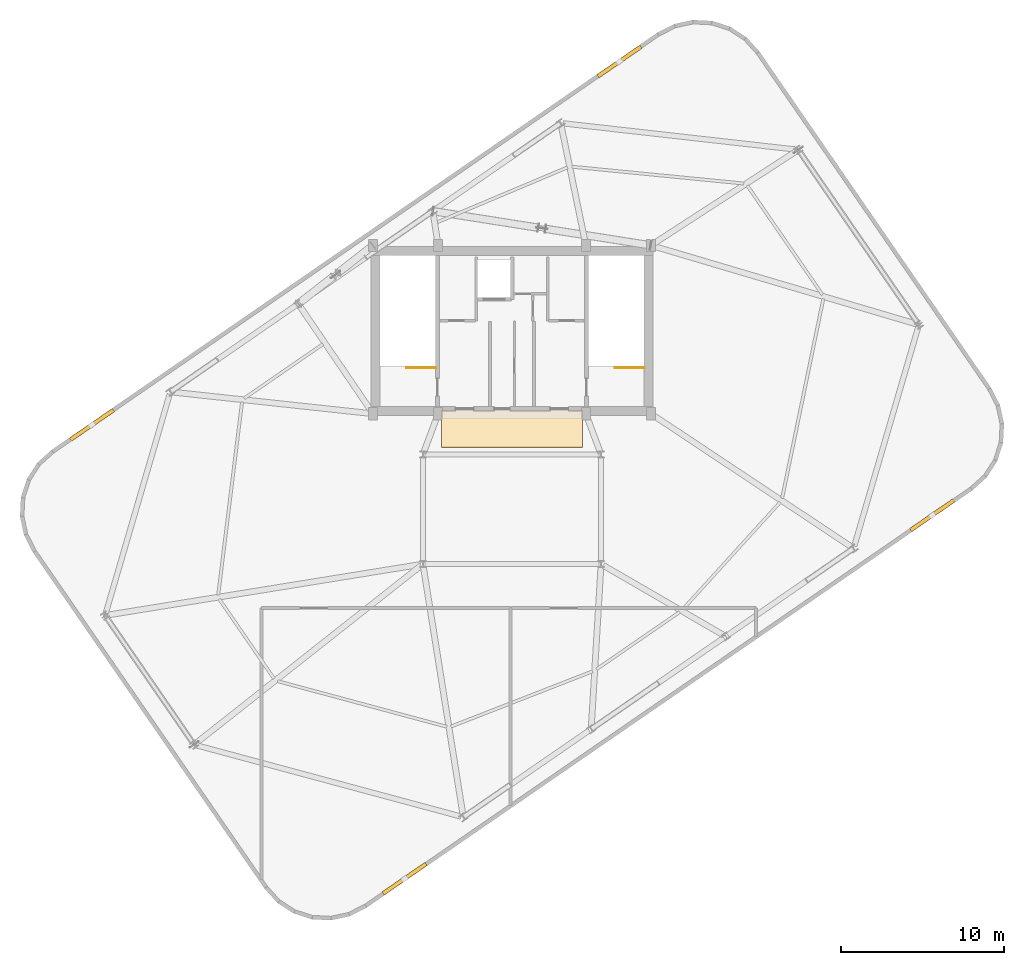
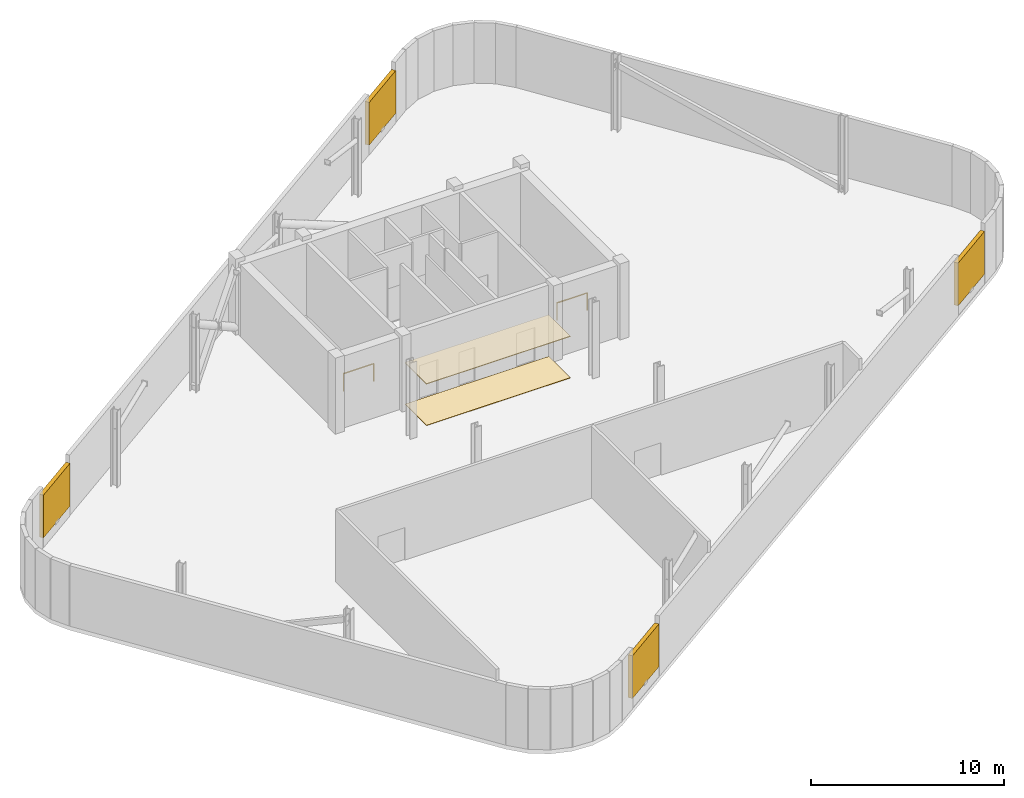
# One storey, part 10 of 10: 4 shading devices, 2 coverings, 2 railings.
"""IFC4 building model written with IfcOpenShell, lengths in metres."""

from ifc_helpers import new_model, si_unit, direction, frame, origin, origin_2d, place, context, subcontext, project, spatial, rectangle, circle, extrude, source, transform, mapped, material, layer, layer_set, type_object, element, save


model = new_model("IFC4")

# Units and contexts
model_context = context("Model", 3, precision=1e-05, world=origin(), true_north=direction((0.0, 1.0)))
body_context = subcontext(model_context, "Body", "Model", "MODEL_VIEW")
ifc_project = project(units=[si_unit("LENGTHUNIT", "METRE"), si_unit("AREAUNIT", "SQUARE_METRE"), si_unit("VOLUMEUNIT", "CUBIC_METRE"), si_unit("PLANEANGLEUNIT", "RADIAN"), si_unit("MASSUNIT", "GRAM", prefix="KILO")], contexts=[model_context])

# Site, building, storey
site_placement = place(None, origin())
site = spatial("IfcSite", under=ifc_project, at=site_placement, CompositionType="ELEMENT")
building_placement = place(site_placement, origin())
building = spatial("IfcBuilding", under=site, at=building_placement, Name="Varnelok Gate Tower", CompositionType="ELEMENT")
storey_placement = place(building_placement, frame((0.0, 0.0, 305.89990234375)))
storey = spatial("IfcBuildingStorey", under=building, at=storey_placement, Name="L78", CompositionType="ELEMENT", Elevation=305.89990234375)

# Railings
ifc_material_1 = material(Name="Galvanized Steel Grade S350GD", Category="steel")
railing_type = type_object("IfcRailingType", Name="RL-STAIR-GUARD1120", PredefinedType="GUARDRAIL", material=ifc_material_1)
for number, where, name in (
    (1, (34.550048828125, 31.550048828125, 0.0), "L78 ST-1 top well guard 1"),
    (2, (47.300048828125, 31.550048828125, 0.0), "L78 ST-2 top well guard 1"),
):
    element("IfcRailing", number, at=place(storey_placement, frame(where)), inside=storey, type_object=railing_type, Name=name, PredefinedType="GUARDRAIL", context=body_context, shape_type="SweptSolid", body=[
        extrude(circle(Radius=0.02392578125, at=origin_2d()), frame((0.0, 0.0, 1.09619140625), z_axis=(-1.0, 0.0, 0.0), x_axis=(0.0, -1.0, 0.0)), (0.0, 0.0, 1.0), 1.800048828125),
        extrude(circle(Radius=0.02099609375, at=origin_2d()), origin(), (0.0, 0.0, 1.0), 1.072021484375),
        extrude(circle(Radius=0.02099609375, at=origin_2d()), frame((-1.800048828125, 0.0, 0.0)), (0.0, 0.0, 1.0), 1.072021484375),
    ])

# Shading devices
ifc_material_2 = material(Name="Anodized Aluminum Alloy 6063-T6", Category="aluminium")
shading_device_type = type_object("IfcShadingDeviceType", Name="SHD-PLANT-LOUVRE", PredefinedType="JALOUSIE", material=ifc_material_2)
shared_shape_1 = source(origin(), body_context, "Body", "SweptSolid", [
    extrude(rectangle(XDim=3.199951171875, YDim=0.239990234375, at=origin_2d()), origin(), (0.0, 0.0, 1.0), 2.699951171875),
])
for number, where, z_axis, x_axis, name in (
    (3, (32.622802734375, 0.296875, 0.6201171875), (0.0, 0.0, 1.0), (0.823532597628, 0.567268949127, 0.0), "L78 Acoustic Plant Louvre Screen S1"),
    (4, (64.905517578125, 22.53369140625, 0.6201171875), (0.0, 0.0, 1.0), (0.823532597628, 0.567268949127, 0.0), "L78 Acoustic Plant Louvre Screen S2"),
    (5, (13.49462890625, 28.06640625, 0.6201171875), (0.0, 0.0, 1.0), (0.823532597628, 0.567268949127, 0.0), "L78 Acoustic Plant Louvre Screen N1"),
    (6, (45.777099609375, 50.30322265625, 0.6201171875), (0.0, 0.0, 1.0), (0.823532597628, 0.567268949127, 0.0), "L78 Acoustic Plant Louvre Screen N2"),
):
    element("IfcShadingDevice", number, at=place(storey_placement, frame(where, z_axis=z_axis, x_axis=x_axis)), inside=storey, type_object=shading_device_type, Name=name, PredefinedType="JALOUSIE", context=body_context, shape_type="MappedRepresentation", body=[
        mapped(shared_shape_1, transform((0.0, 0.0, 0.0), scale=1.0)),
    ])

# Coverings
ifc_material_3 = material(Name="Honed Travertine Stone Flooring", Category="masonry")
ifc_layer_1 = layer(ifc_material_3, 0.02490234375)
ifc_layer_set_1 = layer_set([ifc_layer_1], Name="Honed Travertine Stone Flooring")
covering_type_1 = type_object("IfcCoveringType", Name="COV-FLOR-STONE", PredefinedType="FLOORING", material=ifc_layer_set_1)
shared_shape_2 = source(origin(), body_context, "Body", "SweptSolid", [
    extrude(rectangle(XDim=8.60009765625, YDim=2.219970703125, at=origin_2d()), origin(), (0.0, 0.0, 1.0), 0.02490234375),
])
covering_1_placement = place(storey_placement, frame((39.199951171875, 27.800048828125, 0.000244140625), z_axis=(0.0, 0.0, 1.0), x_axis=(1.0, 0.0, 0.0)))
element("IfcCovering", 7, at=covering_1_placement, inside=storey, type_object=covering_type_1, Name="L78 Core Gallery Stone Flooring", PredefinedType="FLOORING", context=body_context, shape_type="MappedRepresentation", body=[
    mapped(shared_shape_2, transform((0.0, 0.0, 0.0), scale=1.0)),
])
ifc_material_4 = material(Name="Mineral Fiber Acoustic Ceiling Tile")
ifc_layer_2 = layer(ifc_material_4, 0.0400390625)
ifc_layer_set_2 = layer_set([ifc_layer_2], Name="Mineral Fiber Acoustic Ceiling Tile")
covering_type_2 = type_object("IfcCoveringType", Name="COV-CEIL-ACOUST", PredefinedType="CEILING", material=ifc_layer_set_2)
shared_shape_3 = source(origin(), body_context, "Body", "SweptSolid", [
    extrude(rectangle(XDim=8.60009765625, YDim=2.239990234375, at=origin_2d()), origin(), (0.0, 0.0, 1.0), 0.0400390625),
])
covering_2_placement = place(storey_placement, frame((39.199951171875, 27.820068359375, 2.60009765625), z_axis=(0.0, 0.0, 1.0), x_axis=(1.0, 0.0, 0.0)))
element("IfcCovering", 8, at=covering_2_placement, inside=storey, type_object=covering_type_2, Name="L78 Core Gallery Acoustic Ceiling", PredefinedType="CEILING", context=body_context, shape_type="MappedRepresentation", body=[
    mapped(shared_shape_3, transform((0.0, 0.0, 0.0), scale=1.0)),
])

save(model, "model.ifc")
